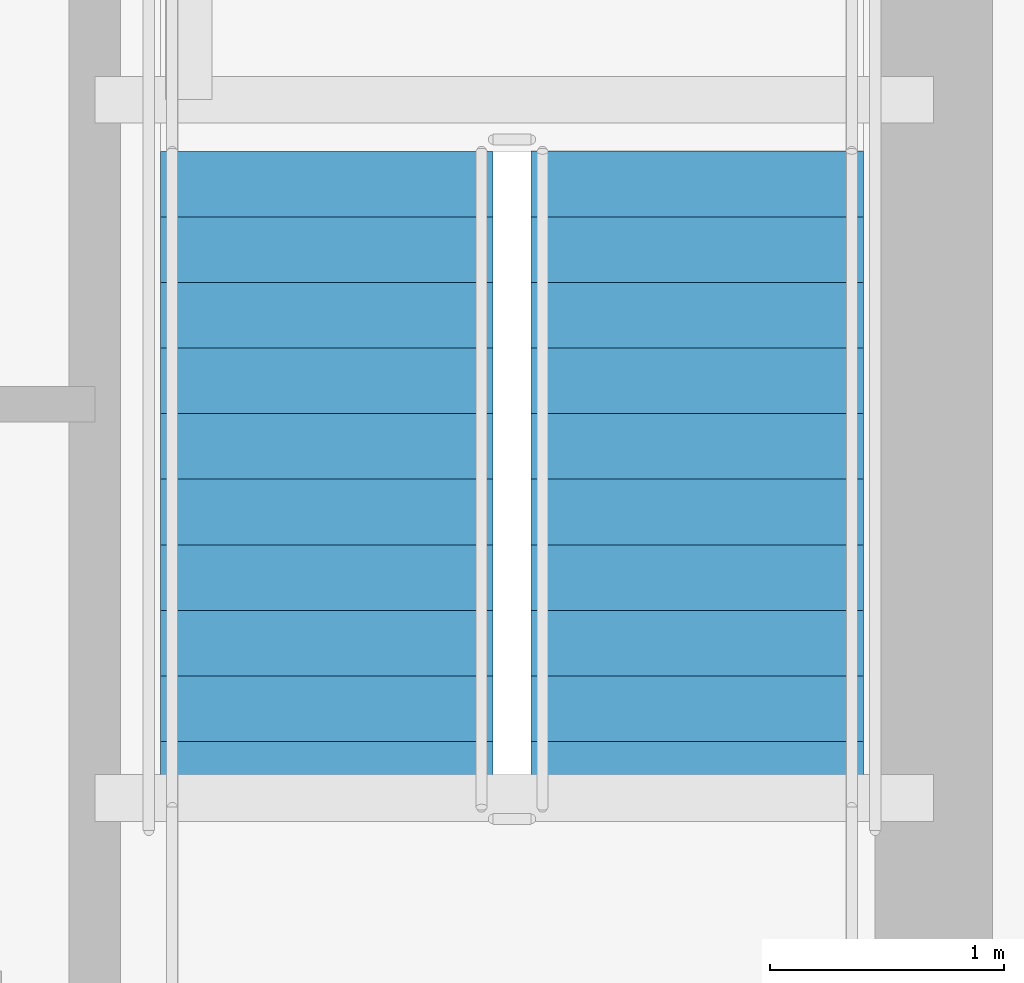
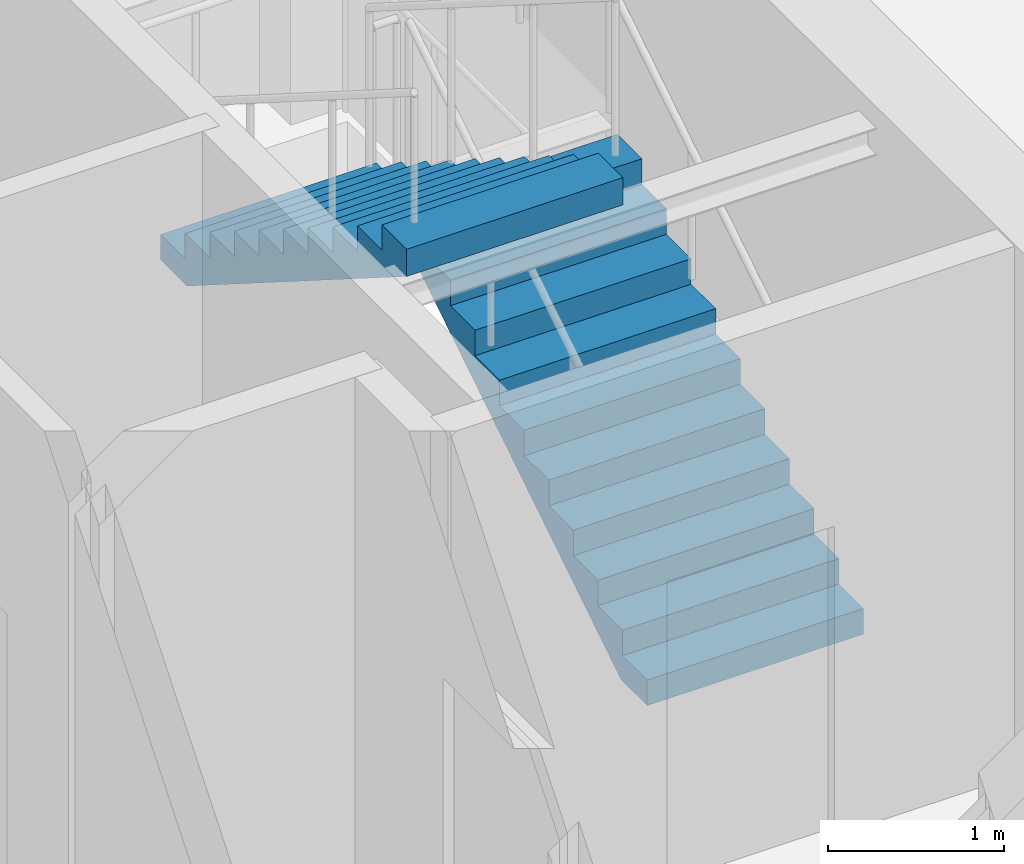
# One storey, part 4 of 8: 2 stair flights, 1 element without a shape of its own.
"""IFC4 building model written with IfcOpenShell, lengths in metres."""

from ifc_helpers import new_model, si_unit, direction, frame, origin, place, context, subcontext, project, spatial, polyline, outline, extrude, material, type_object, element, aggregate, save


model = new_model("IFC4")

# Units and contexts
model_context = context("Model", 3, precision=1e-05, world=origin(), true_north=direction((0.0, 1.0)))
body_context = subcontext(model_context, "Body", "Model", "MODEL_VIEW")
ifc_project = project(units=[si_unit("LENGTHUNIT", "METRE"), si_unit("AREAUNIT", "SQUARE_METRE"), si_unit("VOLUMEUNIT", "CUBIC_METRE"), si_unit("PLANEANGLEUNIT", "RADIAN"), si_unit("MASSUNIT", "GRAM", prefix="KILO")], contexts=[model_context])

# Site, building, storey
site_placement = place(None, origin())
site = spatial("IfcSite", under=ifc_project, at=site_placement, CompositionType="ELEMENT")
building_placement = place(site_placement, origin())
building = spatial("IfcBuilding", under=site, at=building_placement, Name="Yelkora Congress Tower", CompositionType="ELEMENT")
storey_placement = place(building_placement, frame((0.0, 0.0, 78.0)))
storey = spatial("IfcBuildingStorey", under=building, at=storey_placement, Name="L20", CompositionType="ELEMENT", Elevation=78.0)

# Stair, stair flights
ifc_material = material(Name="Concrete C40/50", Category="concrete")
stair_type = type_object("IfcStairType", Name="STAIR-HT-1420-R22-177", PredefinedType="HALF_TURN_STAIR", material=ifc_material)
stair_placement = place(storey_placement, origin())
stair = element("IfcStair", 1, at=stair_placement, inside=storey, type_object=stair_type, Name="East Core Protected Exit Stair ST-02 (L20)", PredefinedType="HALF_TURN_STAIR")
stair_flight_type = type_object("IfcStairFlightType", Name="FLIGHT-1420-N11-R177-G280", PredefinedType="STRAIGHT", material=ifc_material)
stair_flight_1_placement = place(storey_placement, frame((52.75, 39.60009765625, 0.0), z_axis=(0.0, 0.0, 1.0), x_axis=(0.0, 1.0, 0.0)))
stair_flight_1 = element("IfcStairFlight", 2, at=stair_flight_1_placement, type_object=stair_flight_type, Name="ST-02 L20 Flight 1", NumberOfRisers=11, NumberOfTreads=10, PredefinedType="STRAIGHT", RiserHeight=0.177272727, TreadLength=0.28, context=body_context, shape_type="SweptSolid", body=[
    extrude(outline(polyline([(0.0, 0.0), (0.0, 0.17724609375), (0.280029296875, 0.17724609375), (0.280029296875, 0.3544921875), (0.56005859375, 0.3544921875), (0.56005859375, 0.53173828125), (0.840087890625, 0.53173828125), (0.840087890625, 0.708984375), (1.1201171875, 0.708984375), (1.1201171875, 0.886474609375), (1.39990234375, 0.886474609375), (1.39990234375, 1.063720703125), (1.679931640625, 1.063720703125), (1.679931640625, 1.240966796875), (1.9599609375, 1.240966796875), (1.9599609375, 1.418212890625), (2.239990234375, 1.418212890625), (2.239990234375, 1.595458984375), (2.52001953125, 1.595458984375), (2.52001953125, 1.772705078125), (2.800048828125, 1.772705078125), (2.800048828125, 1.949951171875), (2.800048828125, 1.58349609375), (0.298828125, 0.0), (0.0, 0.0)])), frame((0.0, 0.7099609375, 0.0), z_axis=(0.0, -1.0, 0.0), x_axis=(1.0, 0.0, 0.0)), (0.0, 0.0, 1.0), 1.419921875),
])
stair_flight_2_placement = place(storey_placement, frame((51.169921875, 42.39990234375, 1.949951171875), z_axis=(0.0, 0.0, 1.0), x_axis=(0.0, -1.0, 0.0)))
stair_flight_2 = element("IfcStairFlight", 3, at=stair_flight_2_placement, type_object=stair_flight_type, Name="ST-02 L20 Flight 2", NumberOfRisers=11, NumberOfTreads=10, PredefinedType="STRAIGHT", RiserHeight=0.177272727, TreadLength=0.28, context=body_context, shape_type="SweptSolid", body=[
    extrude(outline(polyline([(0.0, 0.0), (0.0, 0.17724609375), (0.280029296875, 0.17724609375), (0.280029296875, 0.3544921875), (0.56005859375, 0.3544921875), (0.56005859375, 0.53173828125), (0.840087890625, 0.53173828125), (0.840087890625, 0.708984375), (1.1201171875, 0.708984375), (1.1201171875, 0.886474609375), (1.39990234375, 0.886474609375), (1.39990234375, 1.063720703125), (1.679931640625, 1.063720703125), (1.679931640625, 1.240966796875), (1.9599609375, 1.240966796875), (1.9599609375, 1.418212890625), (2.239990234375, 1.418212890625), (2.239990234375, 1.595458984375), (2.52001953125, 1.595458984375), (2.52001953125, 1.772705078125), (2.800048828125, 1.772705078125), (2.800048828125, 1.949951171875), (2.800048828125, 1.58349609375), (0.298828125, 0.0), (0.0, 0.0)])), frame((0.0, 0.7099609375, 0.0), z_axis=(0.0, -1.0, 0.0), x_axis=(1.0, 0.0, 0.0)), (0.0, 0.0, 1.0), 1.419921875),
])
aggregate(stair, [stair_flight_1, stair_flight_2])

save(model, "model.ifc")
